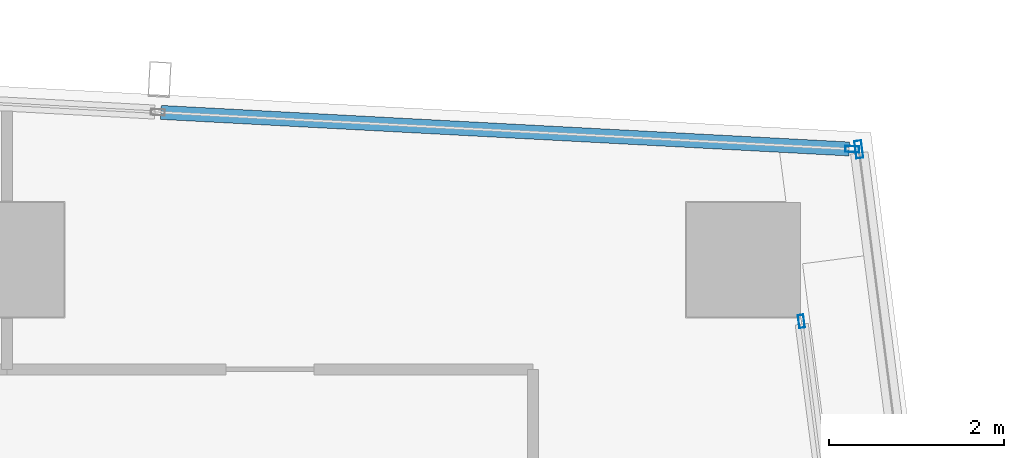
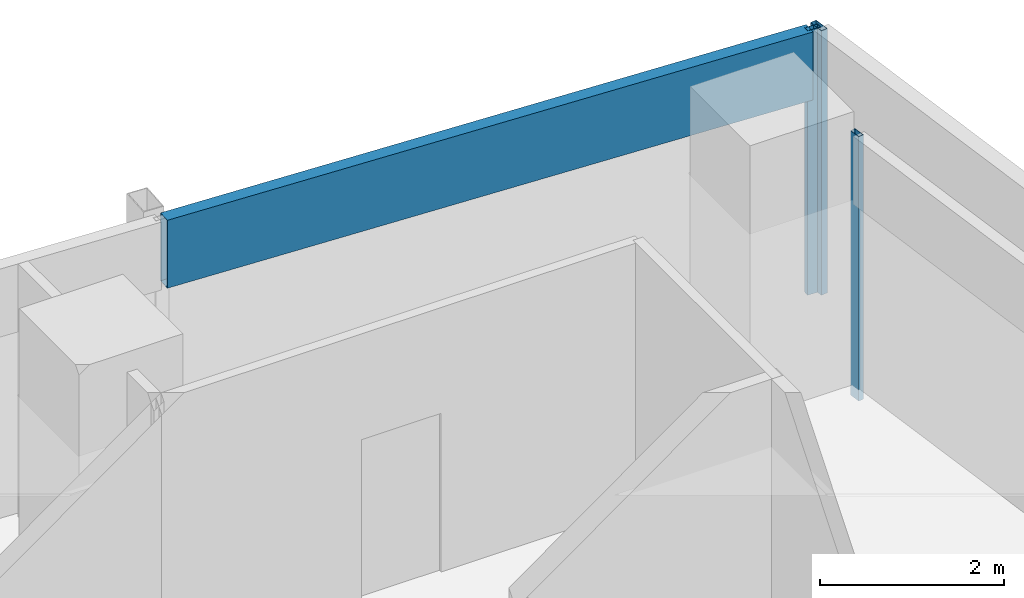
# One storey, part 18 of 28: 4 members, 3 elements without a shape of their own.
"""IFC4 building model written with IfcOpenShell, lengths in metres."""

from ifc_helpers import new_model, si_unit, direction, frame, origin, origin_2d, place, context, subcontext, project, spatial, hollow_rectangle, extrude, material, material_profile, profile_set, type_object, element, aggregate, save


model = new_model("IFC4")

# Units and contexts
model_context = context("Model", 3, precision=1e-05, world=origin(), true_north=direction((0.0, 1.0)))
body_context = subcontext(model_context, "Body", "Model", "MODEL_VIEW")
ifc_project = project(units=[si_unit("LENGTHUNIT", "METRE"), si_unit("AREAUNIT", "SQUARE_METRE"), si_unit("VOLUMEUNIT", "CUBIC_METRE"), si_unit("PLANEANGLEUNIT", "RADIAN"), si_unit("MASSUNIT", "GRAM", prefix="KILO")], contexts=[model_context])

# Site, building, storey
site_placement = place(None, origin())
site = spatial("IfcSite", under=ifc_project, at=site_placement, CompositionType="ELEMENT")
building_placement = place(site_placement, origin())
building = spatial("IfcBuilding", under=site, at=building_placement, Name="Rekha Terrace Tower", CompositionType="ELEMENT")
storey_placement = place(building_placement, frame((0.0, 0.0, 253.85009765625)))
storey = spatial("IfcBuildingStorey", under=building, at=storey_placement, Name="L64", CompositionType="ELEMENT", Elevation=253.85009765625)

# Curtain wall, member
ifc_material_1 = material(Name="Aluminium framing", Category="aluminium")
curtain_wall_type_1 = type_object("IfcCurtainWallType", Name="CW1 double skin inner glazing", PredefinedType="USERDEFINED", material=ifc_material_1)
curtain_wall_1_placement = place(storey_placement, origin())
curtain_wall_1 = element("IfcCurtainWall", 1, at=curtain_wall_1_placement, inside=storey, type_object=curtain_wall_type_1, Name="CW1 double skin inner glazing", ObjectType="DOUBLE SKIN INNER GLAZING", PredefinedType="USERDEFINED")
ifc_material_2 = material(Name="Aluminium mullion section", Category="aluminium")
ifc_material_profile_1 = material_profile(ifc_material_2, hollow_rectangle(XDim=0.06494140625, YDim=0.14990234375, WallThickness=0.00390625, at=origin_2d()), Name="AL RHS 65x150")
ifc_profile_set_1 = profile_set([ifc_material_profile_1], Name="Aluminium mullion section")
member_type_1 = type_object("IfcMemberType", Name="CW1 mullion RHS 65 x 150", PredefinedType="MULLION", material=ifc_profile_set_1)
member_1_placement = place(storey_placement, frame((59.458740234375, 49.6982421875, 0.0), z_axis=(0.0, 0.0, 1.0), x_axis=(-0.99179094947, -0.127869904783, 0.0)))
member_1 = element("IfcMember", 2, at=member_1_placement, type_object=member_type_1, Name="CW1 mullion 2", PredefinedType="MULLION", context=body_context, shape_type="SweptSolid", body=[
    extrude(hollow_rectangle(XDim=0.06494140625, YDim=0.14990234375, WallThickness=0.00390625, at=origin_2d()), origin(), (0.0, 0.0, 1.0), 3.5),
])
aggregate(curtain_wall_1, [member_1])

curtain_wall_type_2 = type_object("IfcCurtainWallType", Name="CW2 double skin outer glazing", PredefinedType="USERDEFINED", material=ifc_material_1)
curtain_wall_2_placement = place(storey_placement, origin())
curtain_wall_2 = element("IfcCurtainWall", 3, at=curtain_wall_2_placement, inside=storey, type_object=curtain_wall_type_2, Name="CW2 double skin outer glazing", ObjectType="DOUBLE SKIN OUTER GLAZING", PredefinedType="USERDEFINED")
ifc_material_profile_2 = material_profile(ifc_material_2, hollow_rectangle(XDim=0.080078125, YDim=0.199951171875, WallThickness=0.00390625, at=origin_2d()), Name="AL RHS 80x200")
ifc_profile_set_2 = profile_set([ifc_material_profile_2], Name="Aluminium mullion section")
member_type_2 = type_object("IfcMemberType", Name="CW2 mullion RHS 80 x 200", PredefinedType="MULLION", material=ifc_profile_set_2)
member_2_placement = place(storey_placement, frame((60.113525390625, 51.65771484375, 0.0), z_axis=(0.0, 0.0, 1.0), x_axis=(-0.991790949452, -0.127869904922, 0.0)))
member_2 = element("IfcMember", 4, at=member_2_placement, type_object=member_type_2, Name="CW2 mullion 2", PredefinedType="MULLION", context=body_context, shape_type="SweptSolid", body=[
    extrude(hollow_rectangle(XDim=0.080078125, YDim=0.199951171875, WallThickness=0.00390625, at=origin_2d()), origin(), (0.0, 0.0, 1.0), 3.5),
])
aggregate(curtain_wall_2, [member_2])

# Curtain wall, members
curtain_wall_type_3 = type_object("IfcCurtainWallType", Name="CW3 north unitised glazing", PredefinedType="USERDEFINED", material=ifc_material_1)
curtain_wall_3_placement = place(storey_placement, origin())
curtain_wall_3 = element("IfcCurtainWall", 5, at=curtain_wall_3_placement, inside=storey, type_object=curtain_wall_type_3, Name="CW3 unitised curtain wall", ObjectType="UNITISED CURTAIN WALL", PredefinedType="USERDEFINED")
ifc_material_profile_3 = material_profile(ifc_material_2, hollow_rectangle(XDim=0.070068359375, YDim=0.159912109375, WallThickness=0.00390625, at=origin_2d()), Name="AL RHS 70x160")
ifc_profile_set_3 = profile_set([ifc_material_profile_3], Name="Aluminium mullion section")
member_type_3 = type_object("IfcMemberType", Name="CW3 mullion RHS 70 x 160", PredefinedType="MULLION", material=ifc_profile_set_3)
member_3_placement = place(storey_placement, frame((60.0380859375, 51.660888671875, 0.0), z_axis=(0.0, 0.0, 1.0), x_axis=(-0.053083275524, -0.998590089005, 0.0)))
member_3 = element("IfcMember", 6, at=member_3_placement, type_object=member_type_3, Name="CW3 mullion 1", PredefinedType="MULLION", context=body_context, shape_type="SweptSolid", body=[
    extrude(hollow_rectangle(XDim=0.070068359375, YDim=0.159912109375, WallThickness=0.00390625, at=origin_2d()), origin(), (0.0, 0.0, 1.0), 3.5),
])
ifc_material_3 = material(Name="Insulated aluminium spandrel box", Category="aluminium")
ifc_material_profile_4 = material_profile(ifc_material_3, hollow_rectangle(XDim=0.159912109375, YDim=0.89990234375, WallThickness=0.0029296875, at=origin_2d()), Name="AL SPANDREL BOX 160x900")
ifc_profile_set_4 = profile_set([ifc_material_profile_4], Name="Insulated aluminium spandrel box")
member_type_4 = type_object("IfcMemberType", Name="CW3 spandrel transom 160 x 900", PredefinedType="USERDEFINED", material=ifc_profile_set_4)
member_4_placement = place(storey_placement, frame((60.003173828125, 51.662841796875, 3.0498046875), z_axis=(-0.99859048353, 0.053075853302, 0.0), x_axis=(-0.053075853302, -0.99859048353, 0.0)))
member_4 = element("IfcMember", 7, at=member_4_placement, type_object=member_type_4, Name="CW3 spandrel transom 1", ObjectType="TRANSOM", PredefinedType="USERDEFINED", context=body_context, shape_type="SweptSolid", body=[
    extrude(hollow_rectangle(XDim=0.159912109375, YDim=0.89990234375, WallThickness=0.0029296875, at=origin_2d()), origin(), (0.0, 0.0, 1.0), 7.8564453125),
])
aggregate(curtain_wall_3, [member_3, member_4])

save(model, "model.ifc")
